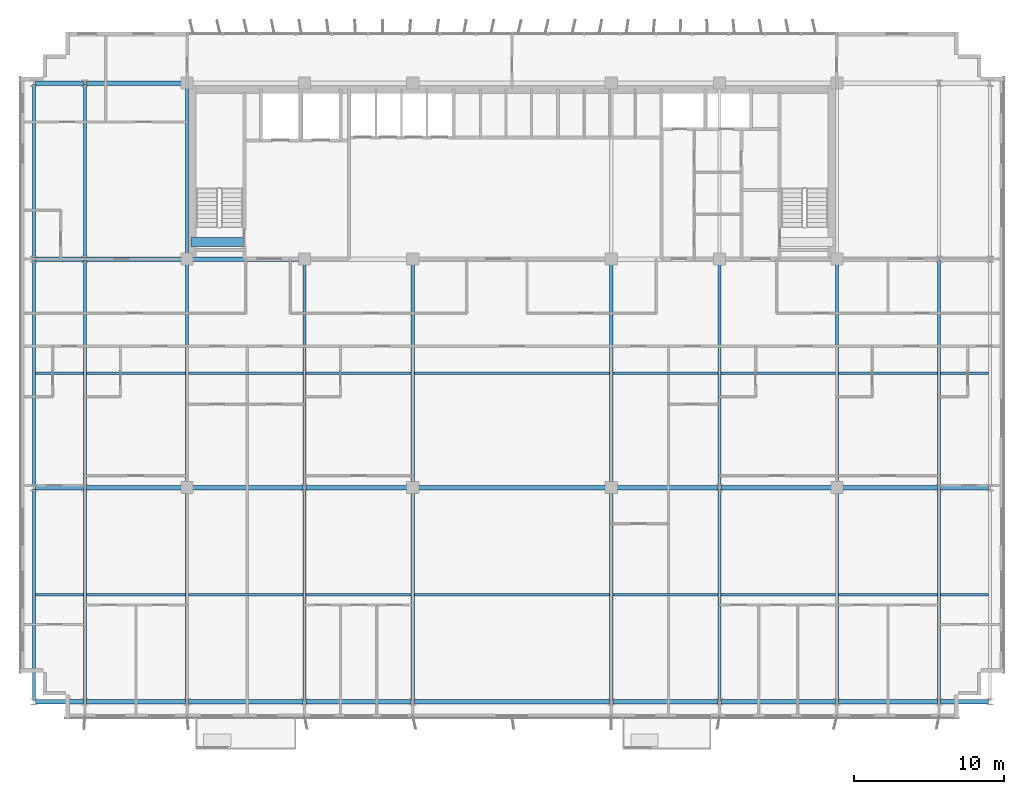
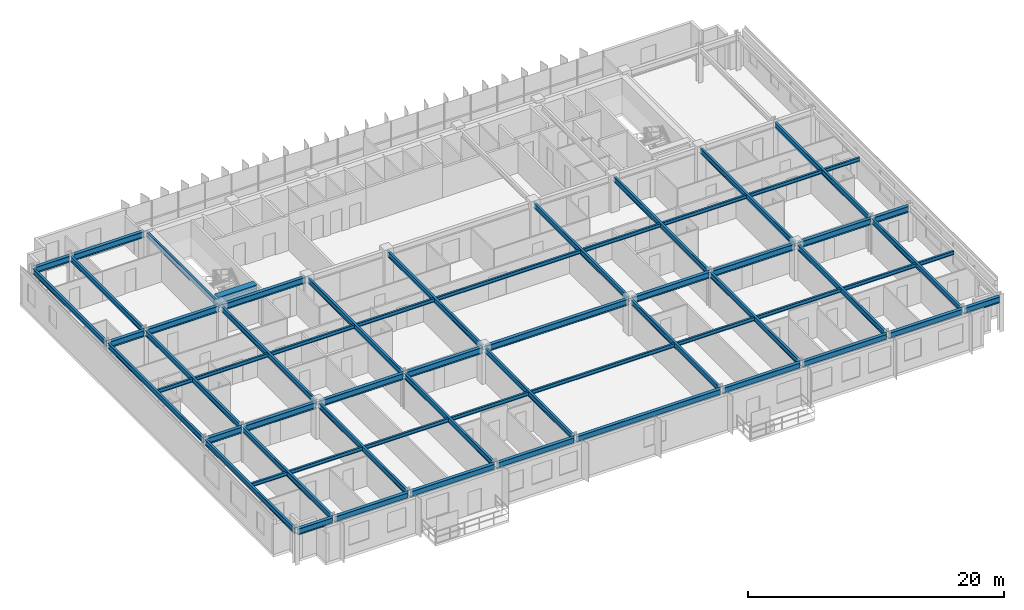
# One storey, part 4 of 22: 63 beams.
"""IFC4 building model written with IfcOpenShell, lengths in metres."""

from ifc_helpers import new_model, si_unit, direction, frame, origin, origin_2d, place, context, subcontext, project, spatial, rectangle, i_section, extrude, source, transform, mapped, material, material_profile, profile_set, type_object, element, save


model = new_model("IFC4")

# Units and contexts
model_context = context("Model", 3, precision=1e-05, world=origin(), true_north=direction((0.0, 1.0)))
body_context = subcontext(model_context, "Body", "Model", "MODEL_VIEW")
ifc_project = project(units=[si_unit("LENGTHUNIT", "METRE"), si_unit("AREAUNIT", "SQUARE_METRE"), si_unit("VOLUMEUNIT", "CUBIC_METRE"), si_unit("PLANEANGLEUNIT", "RADIAN"), si_unit("MASSUNIT", "GRAM", prefix="KILO")], contexts=[model_context])

# Site, building, storey
site_placement = place(None, origin())
site = spatial("IfcSite", under=ifc_project, at=site_placement, CompositionType="ELEMENT")
building_placement = place(site_placement, origin())
building = spatial("IfcBuilding", under=site, at=building_placement, Name="Trelvane Seafront Commons", CompositionType="ELEMENT")
storey_placement = place(building_placement, frame((0.0, 0.0, 99.699951171875)))
storey = spatial("IfcBuildingStorey", under=building, at=storey_placement, Name="L25", CompositionType="ELEMENT", Elevation=99.699951171875)

# Beams
ifc_material_1 = material(Name="Concrete C60/75", Category="concrete")
ifc_material_profile_1 = material_profile(ifc_material_1, rectangle(XDim=0.60009765625, YDim=0.89990234375, at=origin_2d()), Name="RC-600x900")
ifc_profile_set_1 = profile_set([ifc_material_profile_1], Name="Concrete C60/75")
beam_type_1 = type_object("IfcBeamType", Name="STR-LNT-RC600x900", PredefinedType="LINTEL", material=ifc_profile_set_1)
shared_shape_1 = source(origin(), body_context, "Body", "SweptSolid", [
    extrude(rectangle(XDim=0.60009765625, YDim=0.89990234375, at=origin_2d()), origin(), (0.0, 0.0, 1.0), 3.5498046875),
])
beam_1_placement = place(storey_placement, frame((15.85009765625, 34.550048828125, 2.89013671875), z_axis=(1.0, 0.0, 0.0), x_axis=(0.0, 1.0, 0.0)))
element("IfcBeam", 1, at=beam_1_placement, inside=storey, type_object=beam_type_1, Name="L25 Core Coupling Lintel Beam CB-85", PredefinedType="LINTEL", context=body_context, shape_type="MappedRepresentation", body=[
    mapped(shared_shape_1, transform((0.0, 0.0, 0.0), x_axis=(1.0, 0.0, 0.0), y_axis=(0.0, 1.0, 0.0), z_axis=(0.0, 0.0, 1.0), scale=1.0)),
])
ifc_material_2 = material(Name="Steel SM355 (S355)", Category="steel")
ifc_material_profile_2 = material_profile(ifc_material_2, i_section(OverallWidth=0.300048828125, OverallDepth=0.587890625, WebThickness=0.011962890625, FlangeThickness=0.02001953125, at=origin_2d()), Name="H-588x300x12x20")
ifc_profile_set_2 = profile_set([ifc_material_profile_2], Name="Steel SM355 (S355)")
beam_type_2 = type_object("IfcBeamType", Name="STR-BM-H588", PredefinedType="BEAM", material=ifc_profile_set_2)
shared_shape_2 = source(origin(), body_context, "Body", "SweptSolid", [
    extrude(i_section(OverallWidth=0.300048828125, OverallDepth=0.587890625, WebThickness=0.011962890625, FlangeThickness=0.02001953125, at=origin_2d()), origin(), (0.0, 0.0, 1.0), 7.550048828125),
])
beam_2_placement = place(storey_placement, frame((15.75, 18.199951171875, 3.046142578125), z_axis=(1.0, 0.0, 0.0), x_axis=(0.0, 1.0, 0.0)))
element("IfcBeam", 2, at=beam_2_placement, inside=storey, type_object=beam_type_2, Name="L25 Primary Girder G-12", PredefinedType="BEAM", context=body_context, shape_type="MappedRepresentation", body=[
    mapped(shared_shape_2, transform((0.0, 0.0, 0.0), x_axis=(1.0, 0.0, 0.0), y_axis=(0.0, 1.0, 0.0), z_axis=(0.0, 0.0, 1.0), scale=1.0)),
])
shared_shape_3 = source(origin(), body_context, "Body", "SweptSolid", [
    extrude(i_section(OverallWidth=0.300048828125, OverallDepth=0.587890625, WebThickness=0.011962890625, FlangeThickness=0.02001953125, at=origin_2d()), origin(), (0.0, 0.0, 1.0), 3.199951171875),
])
for number, where, z_axis, x_axis, name in (
    (3, (5.5, 3.949951171875, 3.046142578125), (1.0, 0.0, 0.0), (0.0, 1.0, 0.0), "L25 Primary Girder G-01"),
    (4, (65.699951171875, 3.949951171875, 3.046142578125), (1.0, 0.0, 0.0), (0.0, 1.0, 0.0), "L25 Primary Girder G-09"),
    (5, (5.5, 18.199951171875, 3.046142578125), (1.0, 0.0, 0.0), (0.0, 1.0, 0.0), "L25 Primary Girder G-10"),
    (6, (65.699951171875, 18.199951171875, 3.046142578125), (1.0, 0.0, 0.0), (0.0, 1.0, 0.0), "L25 Primary Girder G-18"),
    (7, (5.5, 33.39990234375, 3.046142578125), (1.0, 0.0, 0.0), (0.0, 1.0, 0.0), "L25 Primary Girder G-19"),
    (8, (5.5, 45.10009765625, 3.046142578125), (1.0, 0.0, 0.0), (0.0, 1.0, 0.0), "L25 Primary Girder G-28"),
):
    element("IfcBeam", number, at=place(storey_placement, frame(where, z_axis=z_axis, x_axis=x_axis)), inside=storey, type_object=beam_type_2, Name=name, PredefinedType="BEAM", context=body_context, shape_type="MappedRepresentation", body=[
        mapped(shared_shape_3, transform((0.0, 0.0, 0.0), x_axis=(1.0, 0.0, 0.0), y_axis=(0.0, 1.0, 0.0), z_axis=(0.0, 0.0, 1.0), scale=1.0)),
    ])
shared_shape_4 = source(origin(), body_context, "Body", "SweptSolid", [
    extrude(i_section(OverallWidth=0.300048828125, OverallDepth=0.587890625, WebThickness=0.011962890625, FlangeThickness=0.02001953125, at=origin_2d()), origin(), (0.0, 0.0, 1.0), 6.60009765625),
])
for number, where, z_axis, x_axis, name in (
    (9, (8.89990234375, 3.949951171875, 3.046142578125), (1.0, 0.0, 0.0), (0.0, 1.0, 0.0), "L25 Primary Girder G-02"),
    (10, (58.89990234375, 3.949951171875, 3.046142578125), (1.0, 0.0, 0.0), (0.0, 1.0, 0.0), "L25 Primary Girder G-08"),
):
    element("IfcBeam", number, at=place(storey_placement, frame(where, z_axis=z_axis, x_axis=x_axis)), inside=storey, type_object=beam_type_2, Name=name, PredefinedType="BEAM", context=body_context, shape_type="MappedRepresentation", body=[
        mapped(shared_shape_4, transform((0.0, 0.0, 0.0), x_axis=(1.0, 0.0, 0.0), y_axis=(0.0, 1.0, 0.0), z_axis=(0.0, 0.0, 1.0), scale=1.0)),
    ])
shared_shape_5 = source(origin(), body_context, "Body", "SweptSolid", [
    extrude(i_section(OverallWidth=0.300048828125, OverallDepth=0.587890625, WebThickness=0.011962890625, FlangeThickness=0.02001953125, at=origin_2d()), origin(), (0.0, 0.0, 1.0), 7.60009765625),
])
beam_3_placement = place(storey_placement, frame((15.699951171875, 3.949951171875, 3.046142578125), z_axis=(1.0, 0.0, 0.0), x_axis=(0.0, 1.0, 0.0)))
element("IfcBeam", 11, at=beam_3_placement, inside=storey, type_object=beam_type_2, Name="L25 Primary Girder G-03", PredefinedType="BEAM", context=body_context, shape_type="MappedRepresentation", body=[
    mapped(shared_shape_5, transform((0.0, 0.0, 0.0), x_axis=(1.0, 0.0, 0.0), y_axis=(0.0, 1.0, 0.0), z_axis=(0.0, 0.0, 1.0), scale=1.0)),
])
shared_shape_6 = source(origin(), body_context, "Body", "SweptSolid", [
    extrude(i_section(OverallWidth=0.300048828125, OverallDepth=0.587890625, WebThickness=0.011962890625, FlangeThickness=0.02001953125, at=origin_2d()), origin(), (0.0, 0.0, 1.0), 7.0),
])
for number, where, z_axis, x_axis, name in (
    (12, (23.5, 3.949951171875, 3.046142578125), (1.0, 0.0, 0.0), (0.0, 1.0, 0.0), "L25 Primary Girder G-04"),
    (13, (43.89990234375, 3.949951171875, 3.046142578125), (1.0, 0.0, 0.0), (0.0, 1.0, 0.0), "L25 Primary Girder G-06"),
):
    element("IfcBeam", number, at=place(storey_placement, frame(where, z_axis=z_axis, x_axis=x_axis)), inside=storey, type_object=beam_type_2, Name=name, PredefinedType="BEAM", context=body_context, shape_type="MappedRepresentation", body=[
        mapped(shared_shape_6, transform((0.0, 0.0, 0.0), x_axis=(1.0, 0.0, 0.0), y_axis=(0.0, 1.0, 0.0), z_axis=(0.0, 0.0, 1.0), scale=1.0)),
    ])
shared_shape_7 = source(origin(), body_context, "Body", "SweptSolid", [
    extrude(i_section(OverallWidth=0.300048828125, OverallDepth=0.587890625, WebThickness=0.011962890625, FlangeThickness=0.02001953125, at=origin_2d()), origin(), (0.0, 0.0, 1.0), 13.0),
])
beam_4_placement = place(storey_placement, frame((30.699951171875, 3.949951171875, 3.046142578125), z_axis=(1.0, 0.0, 0.0), x_axis=(0.0, 1.0, 0.0)))
element("IfcBeam", 14, at=beam_4_placement, inside=storey, type_object=beam_type_2, Name="L25 Primary Girder G-05", PredefinedType="BEAM", context=body_context, shape_type="MappedRepresentation", body=[
    mapped(shared_shape_7, transform((0.0, 0.0, 0.0), x_axis=(1.0, 0.0, 0.0), y_axis=(0.0, 1.0, 0.0), z_axis=(0.0, 0.0, 1.0), scale=1.0)),
])
shared_shape_8 = source(origin(), body_context, "Body", "SweptSolid", [
    extrude(i_section(OverallWidth=0.300048828125, OverallDepth=0.587890625, WebThickness=0.011962890625, FlangeThickness=0.02001953125, at=origin_2d()), origin(), (0.0, 0.0, 1.0), 7.599853515625),
])
beam_5_placement = place(storey_placement, frame((51.10009765625, 3.949951171875, 3.046142578125), z_axis=(1.0, 0.0, 0.0), x_axis=(0.0, 1.0, 0.0)))
element("IfcBeam", 15, at=beam_5_placement, inside=storey, type_object=beam_type_2, Name="L25 Primary Girder G-07", PredefinedType="BEAM", context=body_context, shape_type="MappedRepresentation", body=[
    mapped(shared_shape_8, transform((0.0, 0.0, 0.0), x_axis=(1.0, 0.0, 0.0), y_axis=(0.0, 1.0, 0.0), z_axis=(0.0, 0.0, 1.0), scale=1.0)),
])
shared_shape_9 = source(origin(), body_context, "Body", "SweptSolid", [
    extrude(i_section(OverallWidth=0.300048828125, OverallDepth=0.587890625, WebThickness=0.011962890625, FlangeThickness=0.02001953125, at=origin_2d()), origin(), (0.0, 0.0, 1.0), 6.550048828125),
])
for number, where, z_axis, x_axis, name in (
    (16, (8.89990234375, 18.199951171875, 3.046142578125), (1.0, 0.0, 0.0), (0.0, 1.0, 0.0), "L25 Primary Girder G-11"),
    (17, (58.949951171875, 18.199951171875, 3.046142578125), (1.0, 0.0, 0.0), (0.0, 1.0, 0.0), "L25 Primary Girder G-17"),
    (18, (8.89990234375, 33.39990234375, 3.046142578125), (1.0, 0.0, 0.0), (0.0, 1.0, 0.0), "L25 Primary Girder G-20"),
    (19, (8.89990234375, 45.10009765625, 3.046142578125), (1.0, 0.0, 0.0), (0.0, 1.0, 0.0), "L25 Primary Girder G-29"),
):
    element("IfcBeam", number, at=place(storey_placement, frame(where, z_axis=z_axis, x_axis=x_axis)), inside=storey, type_object=beam_type_2, Name=name, PredefinedType="BEAM", context=body_context, shape_type="MappedRepresentation", body=[
        mapped(shared_shape_9, transform((0.0, 0.0, 0.0), x_axis=(1.0, 0.0, 0.0), y_axis=(0.0, 1.0, 0.0), z_axis=(0.0, 0.0, 1.0), scale=1.0)),
    ])
shared_shape_10 = source(origin(), body_context, "Body", "SweptSolid", [
    extrude(i_section(OverallWidth=0.300048828125, OverallDepth=0.587890625, WebThickness=0.011962890625, FlangeThickness=0.02001953125, at=origin_2d()), origin(), (0.0, 0.0, 1.0), 6.949951171875),
])
for number, where, z_axis, x_axis, name in (
    (20, (23.5, 18.199951171875, 3.046142578125), (1.0, 0.0, 0.0), (0.0, 1.0, 0.0), "L25 Primary Girder G-13"),
    (21, (43.949951171875, 18.199951171875, 3.046142578125), (1.0, 0.0, 0.0), (0.0, 1.0, 0.0), "L25 Primary Girder G-15"),
):
    element("IfcBeam", number, at=place(storey_placement, frame(where, z_axis=z_axis, x_axis=x_axis)), inside=storey, type_object=beam_type_2, Name=name, PredefinedType="BEAM", context=body_context, shape_type="MappedRepresentation", body=[
        mapped(shared_shape_10, transform((0.0, 0.0, 0.0), x_axis=(1.0, 0.0, 0.0), y_axis=(0.0, 1.0, 0.0), z_axis=(0.0, 0.0, 1.0), scale=1.0)),
    ])
shared_shape_11 = source(origin(), body_context, "Body", "SweptSolid", [
    extrude(i_section(OverallWidth=0.300048828125, OverallDepth=0.587890625, WebThickness=0.011962890625, FlangeThickness=0.02001953125, at=origin_2d()), origin(), (0.0, 0.0, 1.0), 12.89990234375),
])
beam_6_placement = place(storey_placement, frame((30.75, 18.199951171875, 3.046142578125), z_axis=(1.0, 0.0, 0.0), x_axis=(0.0, 1.0, 0.0)))
element("IfcBeam", 22, at=beam_6_placement, inside=storey, type_object=beam_type_2, Name="L25 Primary Girder G-14", PredefinedType="BEAM", context=body_context, shape_type="MappedRepresentation", body=[
    mapped(shared_shape_11, transform((0.0, 0.0, 0.0), x_axis=(1.0, 0.0, 0.0), y_axis=(0.0, 1.0, 0.0), z_axis=(0.0, 0.0, 1.0), scale=1.0)),
])
shared_shape_12 = source(origin(), body_context, "Body", "SweptSolid", [
    extrude(i_section(OverallWidth=0.300048828125, OverallDepth=0.587890625, WebThickness=0.011962890625, FlangeThickness=0.02001953125, at=origin_2d()), origin(), (0.0, 0.0, 1.0), 7.5498046875),
])
beam_7_placement = place(storey_placement, frame((51.10009765625, 18.199951171875, 3.046142578125), z_axis=(1.0, 0.0, 0.0), x_axis=(0.0, 1.0, 0.0)))
element("IfcBeam", 23, at=beam_7_placement, inside=storey, type_object=beam_type_2, Name="L25 Primary Girder G-16", PredefinedType="BEAM", context=body_context, shape_type="MappedRepresentation", body=[
    mapped(shared_shape_12, transform((0.0, 0.0, 0.0), x_axis=(1.0, 0.0, 0.0), y_axis=(0.0, 1.0, 0.0), z_axis=(0.0, 0.0, 1.0), scale=1.0)),
])
shared_shape_13 = source(origin(), body_context, "Body", "SweptSolid", [
    extrude(i_section(OverallWidth=0.300048828125, OverallDepth=0.587890625, WebThickness=0.011962890625, FlangeThickness=0.02001953125, at=origin_2d()), origin(), (0.0, 0.0, 1.0), 7.5),
])
beam_8_placement = place(storey_placement, frame((15.75, 33.39990234375, 3.046142578125), z_axis=(1.0, 0.0, 0.0), x_axis=(0.0, 1.0, 0.0)))
element("IfcBeam", 24, at=beam_8_placement, inside=storey, type_object=beam_type_2, Name="L25 Primary Girder G-21", PredefinedType="BEAM", context=body_context, shape_type="MappedRepresentation", body=[
    mapped(shared_shape_13, transform((0.0, 0.0, 0.0), x_axis=(1.0, 0.0, 0.0), y_axis=(0.0, 1.0, 0.0), z_axis=(0.0, 0.0, 1.0), scale=1.0)),
])
ifc_material_profile_3 = material_profile(ifc_material_2, i_section(OverallWidth=0.199951171875, OverallDepth=0.5, WebThickness=0.010009765625, FlangeThickness=0.01611328125, at=origin_2d()), Name="H-500x200x10x16")
ifc_profile_set_3 = profile_set([ifc_material_profile_3], Name="Steel SM355 (S355)")
beam_type_3 = type_object("IfcBeamType", Name="STR-BM-H500", PredefinedType="BEAM", material=ifc_profile_set_3)
shared_shape_14 = source(origin(), body_context, "Body", "SweptSolid", [
    extrude(i_section(OverallWidth=0.199951171875, OverallDepth=0.5, WebThickness=0.010009765625, FlangeThickness=0.01611328125, at=origin_2d()), origin(), (0.0, 0.0, 1.0), 14.050048828125),
])
for number, where, z_axis, x_axis, name in (
    (25, (5.39990234375, 4.050048828125, 3.090087890625), (0.0, 1.0, 0.0), (-1.0, 0.0, 0.0), "L25 Primary Girder G-37"),
    (26, (8.800048828125, 4.050048828125, 3.090087890625), (0.0, 1.0, 0.0), (-1.0, 0.0, 0.0), "L25 Primary Girder G-40"),
    (27, (23.39990234375, 4.050048828125, 3.090087890625), (0.0, 1.0, 0.0), (-1.0, 0.0, 0.0), "L25 Primary Girder G-46"),
    (28, (51.0, 4.050048828125, 3.090087890625), (0.0, 1.0, 0.0), (-1.0, 0.0, 0.0), "L25 Primary Girder G-55"),
    (29, (65.60009765625, 4.050048828125, 3.090087890625), (0.0, 1.0, 0.0), (-1.0, 0.0, 0.0), "L25 Primary Girder G-61"),
):
    element("IfcBeam", number, at=place(storey_placement, frame(where, z_axis=z_axis, x_axis=x_axis)), inside=storey, type_object=beam_type_3, Name=name, PredefinedType="BEAM", context=body_context, shape_type="MappedRepresentation", body=[
        mapped(shared_shape_14, transform((0.0, 0.0, 0.0), x_axis=(1.0, 0.0, 0.0), y_axis=(0.0, 1.0, 0.0), z_axis=(0.0, 0.0, 1.0), scale=1.0)),
    ])
shared_shape_15 = source(origin(), body_context, "Body", "SweptSolid", [
    extrude(i_section(OverallWidth=0.199951171875, OverallDepth=0.5, WebThickness=0.010009765625, FlangeThickness=0.01611328125, at=origin_2d()), origin(), (0.0, 0.0, 1.0), 15.0),
])
for number, where, z_axis, x_axis, name in (
    (30, (5.39990234375, 18.300048828125, 3.090087890625), (0.0, 1.0, 0.0), (-1.0, 0.0, 0.0), "L25 Primary Girder G-38"),
    (31, (8.800048828125, 18.300048828125, 3.090087890625), (0.0, 1.0, 0.0), (-1.0, 0.0, 0.0), "L25 Primary Girder G-41"),
    (32, (65.60009765625, 18.300048828125, 3.090087890625), (0.0, 1.0, 0.0), (-1.0, 0.0, 0.0), "L25 Primary Girder G-62"),
):
    element("IfcBeam", number, at=place(storey_placement, frame(where, z_axis=z_axis, x_axis=x_axis)), inside=storey, type_object=beam_type_3, Name=name, PredefinedType="BEAM", context=body_context, shape_type="MappedRepresentation", body=[
        mapped(shared_shape_15, transform((0.0, 0.0, 0.0), x_axis=(1.0, 0.0, 0.0), y_axis=(0.0, 1.0, 0.0), z_axis=(0.0, 0.0, 1.0), scale=1.0)),
    ])
shared_shape_16 = source(origin(), body_context, "Body", "SweptSolid", [
    extrude(i_section(OverallWidth=0.199951171875, OverallDepth=0.5, WebThickness=0.010009765625, FlangeThickness=0.01611328125, at=origin_2d()), origin(), (0.0, 0.0, 1.0), 11.5),
])
for number, where, z_axis, x_axis, name in (
    (33, (5.39990234375, 33.5, 3.090087890625), (0.0, 1.0, 0.0), (-1.0, 0.0, 0.0), "L25 Primary Girder G-39"),
    (34, (8.800048828125, 33.5, 3.090087890625), (0.0, 1.0, 0.0), (-1.0, 0.0, 0.0), "L25 Primary Girder G-42"),
):
    element("IfcBeam", number, at=place(storey_placement, frame(where, z_axis=z_axis, x_axis=x_axis)), inside=storey, type_object=beam_type_3, Name=name, PredefinedType="BEAM", context=body_context, shape_type="MappedRepresentation", body=[
        mapped(shared_shape_16, transform((0.0, 0.0, 0.0), x_axis=(1.0, 0.0, 0.0), y_axis=(0.0, 1.0, 0.0), z_axis=(0.0, 0.0, 1.0), scale=1.0)),
    ])
shared_shape_17 = source(origin(), body_context, "Body", "SweptSolid", [
    extrude(i_section(OverallWidth=0.199951171875, OverallDepth=0.5, WebThickness=0.010009765625, FlangeThickness=0.01611328125, at=origin_2d()), origin(), (0.0, 0.0, 1.0), 14.0),
])
for number, where, z_axis, x_axis, name in (
    (35, (15.60009765625, 4.050048828125, 3.090087890625), (0.0, 1.0, 0.0), (-1.0, 0.0, 0.0), "L25 Primary Girder G-43"),
    (36, (30.60009765625, 4.050048828125, 3.090087890625), (0.0, 1.0, 0.0), (-1.0, 0.0, 0.0), "L25 Primary Girder G-49"),
    (37, (43.800048828125, 4.050048828125, 3.090087890625), (0.0, 1.0, 0.0), (-1.0, 0.0, 0.0), "L25 Primary Girder G-52"),
    (38, (58.800048828125, 4.050048828125, 3.090087890625), (0.0, 1.0, 0.0), (-1.0, 0.0, 0.0), "L25 Primary Girder G-58"),
):
    element("IfcBeam", number, at=place(storey_placement, frame(where, z_axis=z_axis, x_axis=x_axis)), inside=storey, type_object=beam_type_3, Name=name, PredefinedType="BEAM", context=body_context, shape_type="MappedRepresentation", body=[
        mapped(shared_shape_17, transform((0.0, 0.0, 0.0), x_axis=(1.0, 0.0, 0.0), y_axis=(0.0, 1.0, 0.0), z_axis=(0.0, 0.0, 1.0), scale=1.0)),
    ])
shared_shape_18 = source(origin(), body_context, "Body", "SweptSolid", [
    extrude(i_section(OverallWidth=0.199951171875, OverallDepth=0.5, WebThickness=0.010009765625, FlangeThickness=0.01611328125, at=origin_2d()), origin(), (0.0, 0.0, 1.0), 14.89990234375),
])
for number, where, z_axis, x_axis, name in (
    (39, (15.60009765625, 18.35009765625, 3.090087890625), (0.0, 1.0, 0.0), (-1.0, 0.0, 0.0), "L25 Primary Girder G-44"),
    (40, (30.60009765625, 18.35009765625, 3.090087890625), (0.0, 1.0, 0.0), (-1.0, 0.0, 0.0), "L25 Primary Girder G-50"),
    (41, (43.800048828125, 18.35009765625, 3.090087890625), (0.0, 1.0, 0.0), (-1.0, 0.0, 0.0), "L25 Primary Girder G-53"),
    (42, (58.800048828125, 18.35009765625, 3.090087890625), (0.0, 1.0, 0.0), (-1.0, 0.0, 0.0), "L25 Primary Girder G-59"),
):
    element("IfcBeam", number, at=place(storey_placement, frame(where, z_axis=z_axis, x_axis=x_axis)), inside=storey, type_object=beam_type_3, Name=name, PredefinedType="BEAM", context=body_context, shape_type="MappedRepresentation", body=[
        mapped(shared_shape_18, transform((0.0, 0.0, 0.0), x_axis=(1.0, 0.0, 0.0), y_axis=(0.0, 1.0, 0.0), z_axis=(0.0, 0.0, 1.0), scale=1.0)),
    ])
shared_shape_19 = source(origin(), body_context, "Body", "SweptSolid", [
    extrude(i_section(OverallWidth=0.199951171875, OverallDepth=0.5, WebThickness=0.010009765625, FlangeThickness=0.01611328125, at=origin_2d()), origin(), (0.0, 0.0, 1.0), 11.39990234375),
])
beam_9_placement = place(storey_placement, frame((15.60009765625, 33.550048828125, 3.090087890625), z_axis=(0.0, 1.0, 0.0), x_axis=(-1.0, 0.0, 0.0)))
element("IfcBeam", 43, at=beam_9_placement, inside=storey, type_object=beam_type_3, Name="L25 Primary Girder G-45", PredefinedType="BEAM", context=body_context, shape_type="MappedRepresentation", body=[
    mapped(shared_shape_19, transform((0.0, 0.0, 0.0), x_axis=(1.0, 0.0, 0.0), y_axis=(0.0, 1.0, 0.0), z_axis=(0.0, 0.0, 1.0), scale=1.0)),
])
shared_shape_20 = source(origin(), body_context, "Body", "SweptSolid", [
    extrude(i_section(OverallWidth=0.199951171875, OverallDepth=0.5, WebThickness=0.010009765625, FlangeThickness=0.01611328125, at=origin_2d()), origin(), (0.0, 0.0, 1.0), 14.949951171875),
])
for number, where, z_axis, x_axis, name in (
    (44, (23.39990234375, 18.300048828125, 3.090087890625), (0.0, 1.0, 0.0), (-1.0, 0.0, 0.0), "L25 Primary Girder G-47"),
    (45, (51.0, 18.300048828125, 3.090087890625), (0.0, 1.0, 0.0), (-1.0, 0.0, 0.0), "L25 Primary Girder G-56"),
):
    element("IfcBeam", number, at=place(storey_placement, frame(where, z_axis=z_axis, x_axis=x_axis)), inside=storey, type_object=beam_type_3, Name=name, PredefinedType="BEAM", context=body_context, shape_type="MappedRepresentation", body=[
        mapped(shared_shape_20, transform((0.0, 0.0, 0.0), x_axis=(1.0, 0.0, 0.0), y_axis=(0.0, 1.0, 0.0), z_axis=(0.0, 0.0, 1.0), scale=1.0)),
    ])
ifc_material_profile_4 = material_profile(ifc_material_2, i_section(OverallWidth=0.175048828125, OverallDepth=0.35009765625, WebThickness=0.007080078125, FlangeThickness=0.010986328125, at=origin_2d()), Name="H-350x175x7x11")
ifc_profile_set_4 = profile_set([ifc_material_profile_4], Name="Steel SM355 (S355)")
beam_type_4 = type_object("IfcBeamType", Name="STR-JST-H350", PredefinedType="JOIST", material=ifc_profile_set_4)
shared_shape_21 = source(origin(), body_context, "Body", "SweptSolid", [
    extrude(i_section(OverallWidth=0.175048828125, OverallDepth=0.35009765625, WebThickness=0.007080078125, FlangeThickness=0.010986328125, at=origin_2d()), origin(), (0.0, 0.0, 1.0), 3.199951171875),
])
for number, where, z_axis, x_axis, name in (
    (46, (5.5, 11.074951171875, 3.1650390625), (1.0, 0.0, 0.0), (0.0, 1.0, 0.0), "L25 Secondary Floor Joist B-67"),
    (47, (65.699951171875, 11.074951171875, 3.1650390625), (1.0, 0.0, 0.0), (0.0, 1.0, 0.0), "L25 Secondary Floor Joist B-75"),
    (48, (5.5, 25.800048828125, 3.1650390625), (1.0, 0.0, 0.0), (0.0, 1.0, 0.0), "L25 Secondary Floor Joist B-76"),
    (49, (65.699951171875, 25.800048828125, 3.1650390625), (1.0, 0.0, 0.0), (0.0, 1.0, 0.0), "L25 Secondary Floor Joist B-84"),
):
    element("IfcBeam", number, at=place(storey_placement, frame(where, z_axis=z_axis, x_axis=x_axis)), inside=storey, type_object=beam_type_4, Name=name, PredefinedType="JOIST", context=body_context, shape_type="MappedRepresentation", body=[
        mapped(shared_shape_21, transform((0.0, 0.0, 0.0), x_axis=(1.0, 0.0, 0.0), y_axis=(0.0, 1.0, 0.0), z_axis=(0.0, 0.0, 1.0), scale=1.0)),
    ])
shared_shape_22 = source(origin(), body_context, "Body", "SweptSolid", [
    extrude(i_section(OverallWidth=0.175048828125, OverallDepth=0.35009765625, WebThickness=0.007080078125, FlangeThickness=0.010986328125, at=origin_2d()), origin(), (0.0, 0.0, 1.0), 6.60009765625),
])
for number, where, z_axis, x_axis, name in (
    (50, (8.89990234375, 11.074951171875, 3.1650390625), (1.0, 0.0, 0.0), (0.0, 1.0, 0.0), "L25 Secondary Floor Joist B-68"),
    (51, (58.89990234375, 11.074951171875, 3.1650390625), (1.0, 0.0, 0.0), (0.0, 1.0, 0.0), "L25 Secondary Floor Joist B-74"),
    (52, (8.89990234375, 25.800048828125, 3.1650390625), (1.0, 0.0, 0.0), (0.0, 1.0, 0.0), "L25 Secondary Floor Joist B-77"),
    (53, (58.89990234375, 25.800048828125, 3.1650390625), (1.0, 0.0, 0.0), (0.0, 1.0, 0.0), "L25 Secondary Floor Joist B-83"),
):
    element("IfcBeam", number, at=place(storey_placement, frame(where, z_axis=z_axis, x_axis=x_axis)), inside=storey, type_object=beam_type_4, Name=name, PredefinedType="JOIST", context=body_context, shape_type="MappedRepresentation", body=[
        mapped(shared_shape_22, transform((0.0, 0.0, 0.0), x_axis=(1.0, 0.0, 0.0), y_axis=(0.0, 1.0, 0.0), z_axis=(0.0, 0.0, 1.0), scale=1.0)),
    ])
shared_shape_23 = source(origin(), body_context, "Body", "SweptSolid", [
    extrude(i_section(OverallWidth=0.175048828125, OverallDepth=0.35009765625, WebThickness=0.007080078125, FlangeThickness=0.010986328125, at=origin_2d()), origin(), (0.0, 0.0, 1.0), 7.60009765625),
])
for number, where, z_axis, x_axis, name in (
    (54, (15.699951171875, 11.074951171875, 3.1650390625), (1.0, 0.0, 0.0), (0.0, 1.0, 0.0), "L25 Secondary Floor Joist B-69"),
    (55, (15.699951171875, 25.800048828125, 3.1650390625), (1.0, 0.0, 0.0), (0.0, 1.0, 0.0), "L25 Secondary Floor Joist B-78"),
):
    element("IfcBeam", number, at=place(storey_placement, frame(where, z_axis=z_axis, x_axis=x_axis)), inside=storey, type_object=beam_type_4, Name=name, PredefinedType="JOIST", context=body_context, shape_type="MappedRepresentation", body=[
        mapped(shared_shape_23, transform((0.0, 0.0, 0.0), x_axis=(1.0, 0.0, 0.0), y_axis=(0.0, 1.0, 0.0), z_axis=(0.0, 0.0, 1.0), scale=1.0)),
    ])
shared_shape_24 = source(origin(), body_context, "Body", "SweptSolid", [
    extrude(i_section(OverallWidth=0.175048828125, OverallDepth=0.35009765625, WebThickness=0.007080078125, FlangeThickness=0.010986328125, at=origin_2d()), origin(), (0.0, 0.0, 1.0), 7.0),
])
for number, where, z_axis, x_axis, name in (
    (56, (23.5, 11.074951171875, 3.1650390625), (1.0, 0.0, 0.0), (0.0, 1.0, 0.0), "L25 Secondary Floor Joist B-70"),
    (57, (43.89990234375, 11.074951171875, 3.1650390625), (1.0, 0.0, 0.0), (0.0, 1.0, 0.0), "L25 Secondary Floor Joist B-72"),
    (58, (23.5, 25.800048828125, 3.1650390625), (1.0, 0.0, 0.0), (0.0, 1.0, 0.0), "L25 Secondary Floor Joist B-79"),
    (59, (43.89990234375, 25.800048828125, 3.1650390625), (1.0, 0.0, 0.0), (0.0, 1.0, 0.0), "L25 Secondary Floor Joist B-81"),
):
    element("IfcBeam", number, at=place(storey_placement, frame(where, z_axis=z_axis, x_axis=x_axis)), inside=storey, type_object=beam_type_4, Name=name, PredefinedType="JOIST", context=body_context, shape_type="MappedRepresentation", body=[
        mapped(shared_shape_24, transform((0.0, 0.0, 0.0), x_axis=(1.0, 0.0, 0.0), y_axis=(0.0, 1.0, 0.0), z_axis=(0.0, 0.0, 1.0), scale=1.0)),
    ])
shared_shape_25 = source(origin(), body_context, "Body", "SweptSolid", [
    extrude(i_section(OverallWidth=0.175048828125, OverallDepth=0.35009765625, WebThickness=0.007080078125, FlangeThickness=0.010986328125, at=origin_2d()), origin(), (0.0, 0.0, 1.0), 13.0),
])
for number, where, z_axis, x_axis, name in (
    (60, (30.699951171875, 11.074951171875, 3.1650390625), (1.0, 0.0, 0.0), (0.0, 1.0, 0.0), "L25 Secondary Floor Joist B-71"),
    (61, (30.699951171875, 25.800048828125, 3.1650390625), (1.0, 0.0, 0.0), (0.0, 1.0, 0.0), "L25 Secondary Floor Joist B-80"),
):
    element("IfcBeam", number, at=place(storey_placement, frame(where, z_axis=z_axis, x_axis=x_axis)), inside=storey, type_object=beam_type_4, Name=name, PredefinedType="JOIST", context=body_context, shape_type="MappedRepresentation", body=[
        mapped(shared_shape_25, transform((0.0, 0.0, 0.0), x_axis=(1.0, 0.0, 0.0), y_axis=(0.0, 1.0, 0.0), z_axis=(0.0, 0.0, 1.0), scale=1.0)),
    ])
shared_shape_26 = source(origin(), body_context, "Body", "SweptSolid", [
    extrude(i_section(OverallWidth=0.175048828125, OverallDepth=0.35009765625, WebThickness=0.007080078125, FlangeThickness=0.010986328125, at=origin_2d()), origin(), (0.0, 0.0, 1.0), 7.599853515625),
])
for number, where, z_axis, x_axis, name in (
    (62, (51.10009765625, 11.074951171875, 3.1650390625), (1.0, 0.0, 0.0), (0.0, 1.0, 0.0), "L25 Secondary Floor Joist B-73"),
    (63, (51.10009765625, 25.800048828125, 3.1650390625), (1.0, 0.0, 0.0), (0.0, 1.0, 0.0), "L25 Secondary Floor Joist B-82"),
):
    element("IfcBeam", number, at=place(storey_placement, frame(where, z_axis=z_axis, x_axis=x_axis)), inside=storey, type_object=beam_type_4, Name=name, PredefinedType="JOIST", context=body_context, shape_type="MappedRepresentation", body=[
        mapped(shared_shape_26, transform((0.0, 0.0, 0.0), x_axis=(1.0, 0.0, 0.0), y_axis=(0.0, 1.0, 0.0), z_axis=(0.0, 0.0, 1.0), scale=1.0)),
    ])

save(model, "model.ifc")
